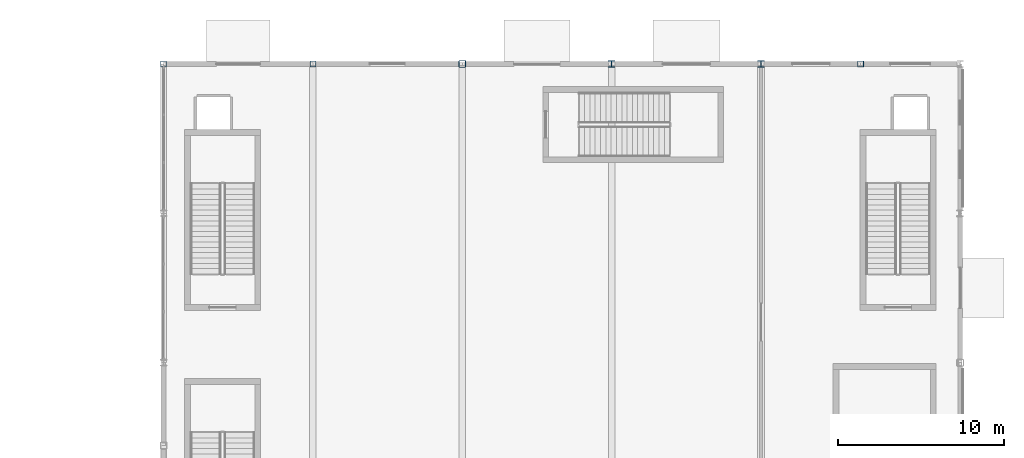
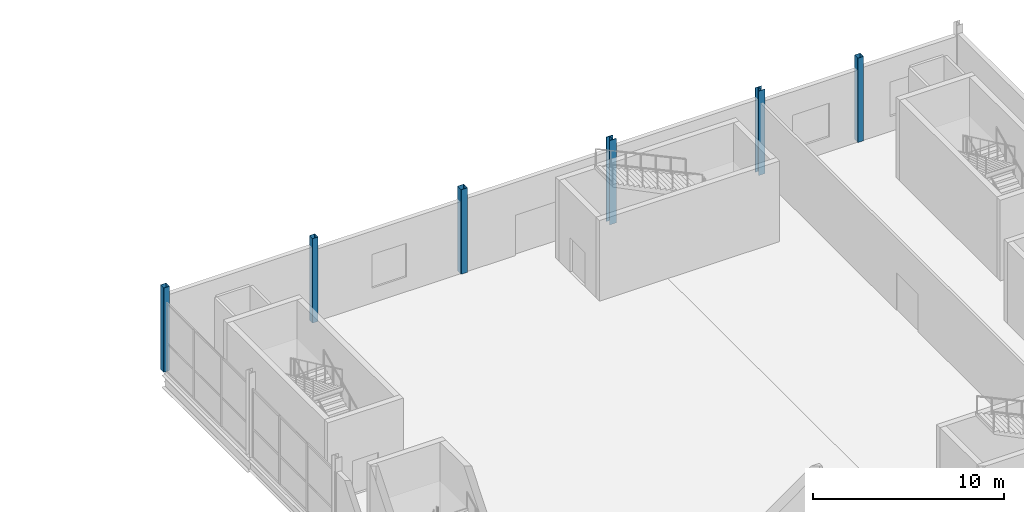
# One storey, part 26 of 94: 6 columns.
"""IFC4 building model written with IfcOpenShell, lengths in metres."""

import ifcopenshell
import ifcopenshell.guid

model = None  # the IFC model being written
_history = None  # IfcOwnerHistory: only IFC2X3 demands one
_inside = {}  # id of a spatial element -> (the spatial element, [elements in it])
_under = {}  # id of a project, library or spatial element -> (it, [spatial elements below it])
_declared = {}  # id of a project -> (the project, [libraries it declares])
_typed = {}  # id of a type object -> (the type object, [elements of that type])
_made_of = {}  # id of a material, layer set ... -> (it, [elements and type objects made of it])


def new_model(schema):
    """Start an empty IFC model of exactly this schema.

    Asked for "IFC4X3", IfcOpenShell would pick the latest addendum, in which some entities
    have other attributes; the version numbers below select the first issue.
    IFC2X3 requires an IfcOwnerHistory on every rooted entity: one is made here for all.
    """
    global model, _history
    if schema == "IFC4X3":
        model = ifcopenshell.file(schema_version=(4, 3, 0, 0))
    else:
        model = ifcopenshell.file(schema=schema)
    _inside.clear()
    _under.clear()
    _declared.clear()
    _typed.clear()
    _made_of.clear()
    _history = None
    if model.schema == "IFC2X3":
        org = make("IfcOrganization", Name="unknown")
        user = make(
            "IfcPersonAndOrganization",
            ThePerson=make("IfcPerson", FamilyName="unknown"),
            TheOrganization=org,
        )
        app = make(
            "IfcApplication",
            ApplicationDeveloper=org,
            Version="unknown",
            ApplicationFullName="unknown",
            ApplicationIdentifier="unknown",
        )
        _history = make(
            "IfcOwnerHistory",
            OwningUser=user,
            OwningApplication=app,
            ChangeAction="ADDED",
            CreationDate=0,
        )
    return model


def make(cls, **values):
    """One entity of the class cls with the attributes given. An attribute that is None is left unset."""
    return model.create_entity(
        cls, **{name: value for name, value in values.items() if value is not None}
    )


def rooted(cls, **values):
    """An entity with a GlobalId (a new one), such as an element, a storey or a relation."""
    return make(cls, GlobalId=ifcopenshell.guid.new(), OwnerHistory=_history, **values)


def si_unit(unit_type, name, prefix=None):
    """IfcSIUnit, for example si_unit("LENGTHUNIT", "METRE", prefix="MILLI")."""
    return make("IfcSIUnit", UnitType=unit_type, Prefix=prefix, Name=name)


def assignment(units):
    """IfcUnitAssignment: the units of a project."""
    return None if units is None else make("IfcUnitAssignment", Units=units)


def point(xyz):
    """IfcCartesianPoint."""
    return None if xyz is None else make("IfcCartesianPoint", Coordinates=xyz)


def direction(xyz):
    """IfcDirection."""
    return None if xyz is None else make("IfcDirection", DirectionRatios=xyz)


def frame(location, z_axis=None, x_axis=None):
    """IfcAxis2Placement3D, a coordinate frame: its origin and axes. An axis left out is left unset."""
    return make(
        "IfcAxis2Placement3D",
        Location=point(location),
        Axis=direction(z_axis),
        RefDirection=direction(x_axis),
    )


def frame_2d(location, x_axis=None):
    """IfcAxis2Placement2D, a coordinate frame in the plane: its origin and x axis."""
    return make(
        "IfcAxis2Placement2D", Location=point(location), RefDirection=direction(x_axis)
    )


def origin():
    """The frame at (0, 0, 0) with its axes left unset."""
    return frame((0.0, 0.0, 0.0))


def origin_2d():
    """The frame at (0, 0) in the plane with its x axis left unset."""
    return frame_2d((0.0, 0.0))


def place(relative_to, where):
    """IfcLocalPlacement: puts the frame where relative to a parent placement (None: the world)."""
    return make(
        "IfcLocalPlacement", PlacementRelTo=relative_to, RelativePlacement=where
    )


def context(
    kind, dimensions, precision=None, world=None, true_north=None, identifier=None
):
    """IfcGeometricRepresentationContext, for example the 3D "Model" context."""
    return make(
        "IfcGeometricRepresentationContext",
        ContextIdentifier=identifier,
        ContextType=kind,
        CoordinateSpaceDimension=dimensions,
        Precision=precision,
        WorldCoordinateSystem=world,
        TrueNorth=true_north,
    )


def subcontext(parent, identifier, kind, view, scale=None):
    """IfcGeometricRepresentationSubContext, for example "Body" below "Model"."""
    return make(
        "IfcGeometricRepresentationSubContext",
        ContextIdentifier=identifier,
        ContextType=kind,
        ParentContext=parent,
        TargetScale=scale,
        TargetView=view,
    )


def project(units=None, contexts=None):
    """IfcProject with its units and contexts."""
    return rooted(
        "IfcProject",
        Name="project",
        RepresentationContexts=contexts,
        UnitsInContext=assignment(units),
    )


def spatial(cls, under=None, at=None, **own):
    """A site, building, storey or space (cls), placed at a placement, below another one or the project."""
    s = rooted(cls, ObjectPlacement=at, **own)
    if under is not None:
        _under.setdefault(under.id(), (under, []))[1].append(s)
    return s


def profile(cls, at=None, kind="AREA", **sizes):
    """A parametric profile (cls). Its sizes go by their IFC names, for example OverallWidth=200.0."""
    return make(cls, ProfileType=kind, Position=at, **sizes)


def hollow_rectangle(**sizes):
    """IfcRectangleHollowProfileDef."""
    return profile("IfcRectangleHollowProfileDef", **sizes)


def i_section(**sizes):
    """IfcIShapeProfileDef."""
    return profile("IfcIShapeProfileDef", **sizes)


def extrude(swept, where, along, depth):
    """IfcExtrudedAreaSolid: the profile swept, set in the frame where, extruded along a direction by depth."""
    return make(
        "IfcExtrudedAreaSolid",
        SweptArea=swept,
        Position=where,
        ExtrudedDirection=direction(along),
        Depth=depth,
    )


def shape(context_of_items, identifier, shape_type, items):
    """IfcShapeRepresentation: the items that make up one representation, for example the "Body"."""
    return make(
        "IfcShapeRepresentation",
        ContextOfItems=context_of_items,
        RepresentationIdentifier=identifier,
        RepresentationType=shape_type,
        Items=items,
    )


def material(Name=None, Category=None):
    """IfcMaterial."""
    return make("IfcMaterial", Name=Name, Category=Category)


def material_profile(
    of_material, cross_section, Name=None, Category=None, Priority=None
):
    """IfcMaterialProfile: a cross section and its material."""
    return make(
        "IfcMaterialProfile",
        Name=Name,
        Material=of_material,
        Profile=cross_section,
        Priority=Priority,
        Category=Category,
    )


def profile_set(profiles, Name=None, composite=None):
    """IfcMaterialProfileSet."""
    return make(
        "IfcMaterialProfileSet",
        Name=Name,
        MaterialProfiles=profiles,
        CompositeProfile=composite,
    )


def made_of(thing, what):
    """Note that an element or type object is made of a material, layer set ...; save() writes the relation."""
    if what is not None:
        _made_of.setdefault(what.id(), (what, []))[1].append(thing)
    return thing


def type_object(cls, material=None, **own):
    """A type object (cls), such as IfcWallType, which elements share."""
    return made_of(rooted(cls, **own), material)


def element(
    cls,
    number,
    at=None,
    inside=None,
    cuts=None,
    type_object=None,
    material=None,
    context=None,
    identifier="Body",
    shape_type=None,
    held_by="IfcProductDefinitionShape",
    body=None,
    shapes=None,
    **own,
):
    """One element of the class cls, such as IfcWall. Its Tag is "e" and its number.

    at: its placement. inside: the storey or other place that contains it. cuts: it is an
    opening in that element (IfcRelVoidsElement). A single representation is given by context,
    identifier, shape_type and body (its items); several are given by shapes. held_by: the class
    of the entity that holds the representations. save() writes the other relations.
    """
    e = rooted(cls, Tag="e%d" % number, ObjectPlacement=at, **own)
    if body is not None:
        shapes = [shape(context, identifier, shape_type, body)]
    if shapes is not None:
        e.Representation = make(held_by, Representations=shapes)
    if inside is not None:
        _inside.setdefault(inside.id(), (inside, []))[1].append(e)
    if cuts is not None:
        rooted(
            "IfcRelVoidsElement", RelatingBuildingElement=cuts, RelatedOpeningElement=e
        )
    if type_object is not None:
        _typed.setdefault(type_object.id(), (type_object, []))[1].append(e)
    return made_of(e, material)


def aggregate(whole, parts):
    """IfcRelAggregates: a whole, such as a stair, and the parts it consists of."""
    return rooted("IfcRelAggregates", RelatingObject=whole, RelatedObjects=parts)


def save(model, path):
    """Write the relations noted so far, then the file.

    IfcRelAggregates (storeys below a building ...), IfcRelContainedInSpatialStructure (elements
    in a storey), IfcRelDefinesByType, IfcRelAssociatesMaterial and IfcRelDeclares: one each for
    every whole, place, type object, material and project.
    """
    for whole, parts in _under.values():
        aggregate(whole, parts)
    for where, things in _inside.values():
        rooted(
            "IfcRelContainedInSpatialStructure",
            RelatedElements=things,
            RelatingStructure=where,
        )
    for kind, things in _typed.values():
        rooted("IfcRelDefinesByType", RelatedObjects=things, RelatingType=kind)
    for what, things in _made_of.values():
        rooted("IfcRelAssociatesMaterial", RelatedObjects=things, RelatingMaterial=what)
    for by, libraries in _declared.values():
        rooted("IfcRelDeclares", RelatingContext=by, RelatedDefinitions=libraries)
    model.write(path)


model = new_model("IFC4")

# Units and contexts
model_context = context("Model", 3, precision=1e-05, world=origin(), true_north=direction((0.0, 1.0)))
body_context = subcontext(model_context, "Body", "Model", "MODEL_VIEW")
ifc_project = project(units=[si_unit("LENGTHUNIT", "METRE"), si_unit("AREAUNIT", "SQUARE_METRE"), si_unit("VOLUMEUNIT", "CUBIC_METRE"), si_unit("PLANEANGLEUNIT", "RADIAN"), si_unit("MASSUNIT", "GRAM", prefix="KILO")], contexts=[model_context])

# Site, building, storey
site_placement = place(None, origin())
site = spatial("IfcSite", under=ifc_project, at=site_placement, CompositionType="ELEMENT")
building_placement = place(site_placement, origin())
building = spatial("IfcBuilding", under=site, at=building_placement, Name="Qamarlyn Nura Convention Centre", CompositionType="ELEMENT")
storey_placement = place(building_placement, origin())
storey = spatial("IfcBuildingStorey", under=building, at=storey_placement, Name="L00", CompositionType="ELEMENT", Elevation=0.0)

# Columns
ifc_material_1 = material(Name="Steel ASTM A500 Grade C", Category="steel")
ifc_material_profile_1 = material_profile(ifc_material_1, hollow_rectangle(XDim=0.39990234375, YDim=0.39990234375, WallThickness=0.01611328125, InnerFilletRadius=0.01611328125, OuterFilletRadius=0.031982421875, at=origin_2d()), Name="HSS400X400X16")
ifc_profile_set_1 = profile_set([ifc_material_profile_1], Name="Steel ASTM A500 Grade C")
column_type_1 = type_object("IfcColumnType", Name="COL-HSS-1", PredefinedType="COLUMN", material=ifc_profile_set_1)
column_1_placement = place(storey_placement, frame((162.0, 126.0, 0.0), z_axis=(0.0, 0.0, 1.0), x_axis=(1.0, 0.0, 0.0)))
element("IfcColumn", 1, at=column_1_placement, inside=storey, type_object=column_type_1, Name="L00 column 14/Q", PredefinedType="COLUMN", context=body_context, shape_type="SweptSolid", body=[
    extrude(hollow_rectangle(XDim=0.39990234375, YDim=0.39990234375, WallThickness=0.01611328125, InnerFilletRadius=0.01611328125, OuterFilletRadius=0.031982421875, at=origin_2d()), origin(), (0.0, 0.0, 1.0), 5.39990234375),
])
ifc_material_profile_2 = material_profile(ifc_material_1, hollow_rectangle(XDim=0.35009765625, YDim=0.35009765625, WallThickness=0.012451171875, InnerFilletRadius=0.012451171875, OuterFilletRadius=0.02490234375, at=origin_2d()), Name="HSS350X350X12.5")
ifc_profile_set_2 = profile_set([ifc_material_profile_2], Name="Steel ASTM A500 Grade C")
column_type_2 = type_object("IfcColumnType", Name="COL-HSS-2", PredefinedType="COLUMN", material=ifc_profile_set_2)
for number, where, z_axis, x_axis, name in (
    (2, (144.0, 126.0, 0.0), (0.0, 0.0, 1.0), (1.0, 0.0, 0.0), "L00 column 12/Q"),
    (3, (153.0, 126.0, 0.0), (0.0, 0.0, 1.0), (1.0, 0.0, 0.0), "L00 column 13/Q"),
    (4, (186.0, 126.0, 0.0), (0.0, 0.0, 1.0), (1.0, 0.0, 0.0), "L00 column 17/Q"),
):
    element("IfcColumn", number, at=place(storey_placement, frame(where, z_axis=z_axis, x_axis=x_axis)), inside=storey, type_object=column_type_2, Name=name, PredefinedType="COLUMN", context=body_context, shape_type="SweptSolid", body=[
        extrude(hollow_rectangle(XDim=0.35009765625, YDim=0.35009765625, WallThickness=0.012451171875, InnerFilletRadius=0.012451171875, OuterFilletRadius=0.02490234375, at=origin_2d()), origin(), (0.0, 0.0, 1.0), 5.39990234375),
    ])
ifc_material_2 = material(Name="Steel ASTM A992", Category="steel")
ifc_material_profile_3 = material_profile(ifc_material_2, i_section(OverallWidth=0.39892578125, OverallDepth=0.39306640625, WebThickness=0.022705078125, FlangeThickness=0.03662109375, FilletRadius=0.01806640625, at=origin_2d()), Name="W360X287")
ifc_profile_set_3 = profile_set([ifc_material_profile_3], Name="Steel ASTM A992")
column_type_3 = type_object("IfcColumnType", Name="COL-WING-1", PredefinedType="COLUMN", material=ifc_profile_set_3)
column_2_placement = place(storey_placement, frame((171.0, 126.0, 0.0), z_axis=(0.0, 0.0, 1.0), x_axis=(1.0, 0.0, 0.0)))
element("IfcColumn", 5, at=column_2_placement, inside=storey, type_object=column_type_3, Name="L00 column 15/Q", PredefinedType="COLUMN", context=body_context, shape_type="SweptSolid", body=[
    extrude(i_section(OverallWidth=0.39892578125, OverallDepth=0.39306640625, WebThickness=0.022705078125, FlangeThickness=0.03662109375, FilletRadius=0.01806640625, at=origin_2d()), origin(), (0.0, 0.0, 1.0), 5.39990234375),
])
ifc_material_profile_4 = material_profile(ifc_material_2, i_section(OverallWidth=0.3740234375, OverallDepth=0.3720703125, WebThickness=0.016357421875, FlangeThickness=0.026123046875, FilletRadius=0.01611328125, at=origin_2d()), Name="W360X196")
ifc_profile_set_4 = profile_set([ifc_material_profile_4], Name="Steel ASTM A992")
column_type_4 = type_object("IfcColumnType", Name="COL-WING-2", PredefinedType="COLUMN", material=ifc_profile_set_4)
column_3_placement = place(storey_placement, frame((180.0, 126.0, 0.0), z_axis=(0.0, 0.0, 1.0), x_axis=(1.0, 0.0, 0.0)))
element("IfcColumn", 6, at=column_3_placement, inside=storey, type_object=column_type_4, Name="L00 column 16/Q", PredefinedType="COLUMN", context=body_context, shape_type="SweptSolid", body=[
    extrude(i_section(OverallWidth=0.3740234375, OverallDepth=0.3720703125, WebThickness=0.016357421875, FlangeThickness=0.026123046875, FilletRadius=0.01611328125, at=origin_2d()), origin(), (0.0, 0.0, 1.0), 5.39990234375),
])

save(model, "model.ifc")
